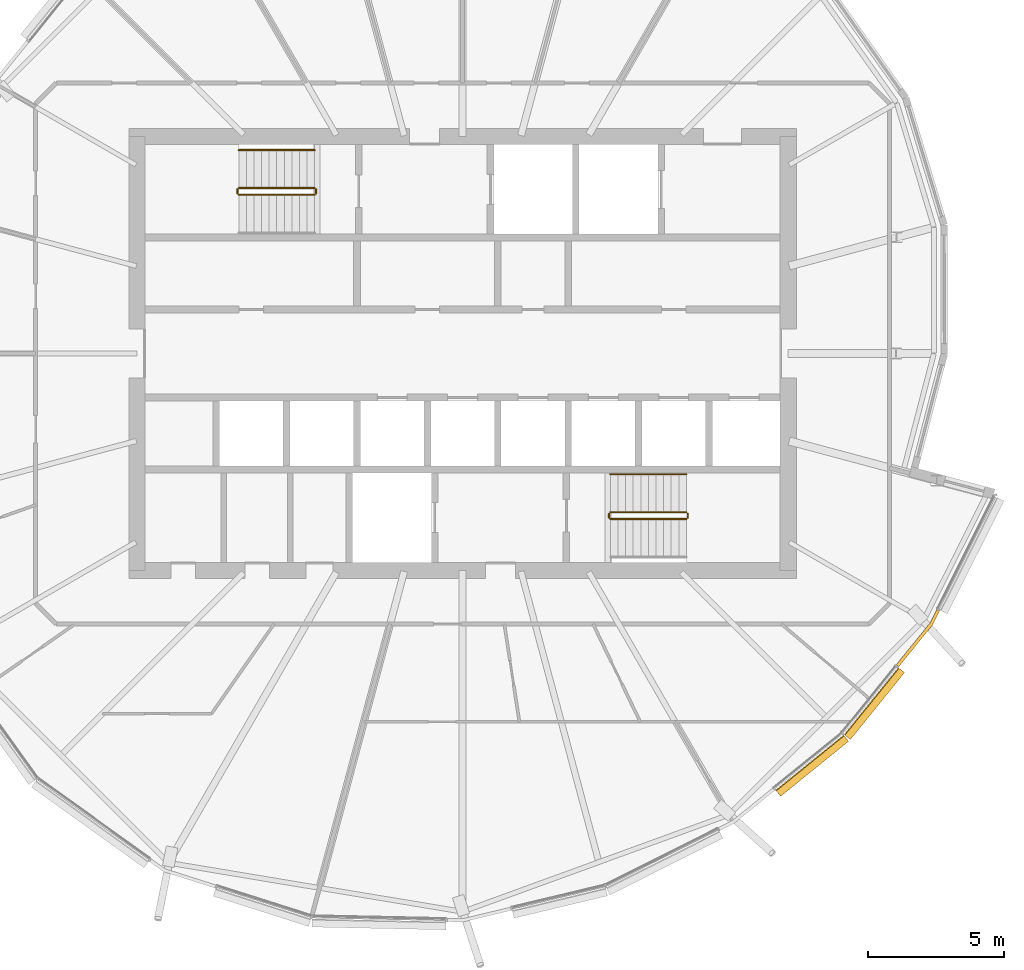
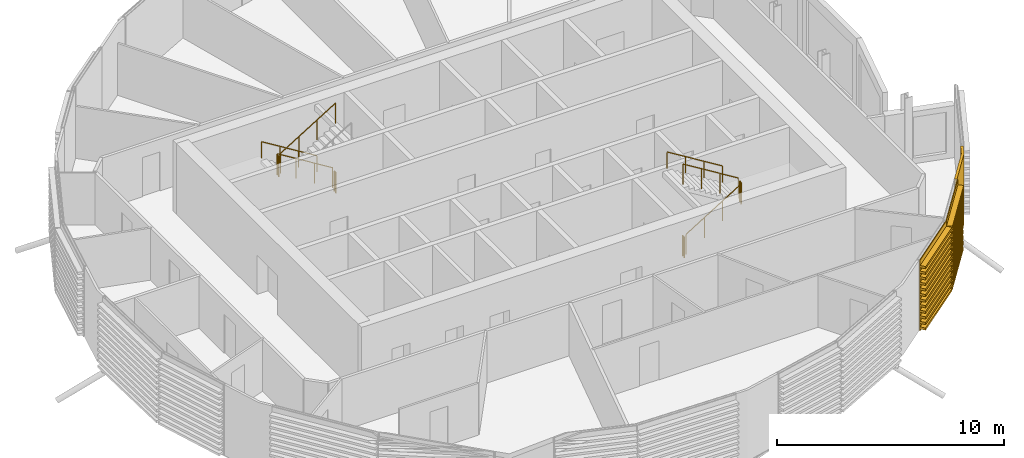
# One storey, part 35 of 36: 10 railings, 3 coverings.
"""IFC4 building model written with IfcOpenShell, lengths in metres."""

from ifc_helpers import new_model, si_unit, direction, frame, origin, origin_2d, place, context, subcontext, project, spatial, polyline, circle, outline, extrude, material, layer, layer_set, material_profile, profile_set, type_object, element, save


model = new_model("IFC4")

# Units and contexts
model_context = context("Model", 3, precision=1e-05, world=origin(), true_north=direction((0.0, 1.0)))
body_context = subcontext(model_context, "Body", "Model", "MODEL_VIEW")
ifc_project = project(units=[si_unit("LENGTHUNIT", "METRE"), si_unit("AREAUNIT", "SQUARE_METRE"), si_unit("VOLUMEUNIT", "CUBIC_METRE"), si_unit("PLANEANGLEUNIT", "RADIAN"), si_unit("MASSUNIT", "GRAM", prefix="KILO")], contexts=[model_context])

# Site, building, storey
site_placement = place(None, origin())
site = spatial("IfcSite", under=ifc_project, at=site_placement, CompositionType="ELEMENT")
building_placement = place(site_placement, origin())
building = spatial("IfcBuilding", under=site, at=building_placement, Name="Rimbun Link Towers", CompositionType="ELEMENT")
storey_placement = place(building_placement, frame((0.0, 0.0, 174.10009765625)))
storey = spatial("IfcBuildingStorey", under=building, at=storey_placement, Name="L42", CompositionType="ELEMENT", Elevation=174.10009765625)

# Covering
ifc_material_1 = material(Name="Terracotta", Category="masonry")
ifc_layer = layer(ifc_material_1, 0.1201171875)
ifc_layer_set = layer_set([ifc_layer], Name="LINK PIER terracotta cladding 120")
covering_type_1 = type_object("IfcCoveringType", Name="LINK PIER terracotta cladding 120", PredefinedType="CLADDING", material=ifc_layer_set)
covering_1_placement = place(storey_placement, origin())
element("IfcCovering", 1, at=covering_1_placement, inside=storey, type_object=covering_type_1, Name="LINK PIER cladding", PredefinedType="CLADDING", context=body_context, shape_type="SweptSolid", body=[
    extrude(outline(polyline([(49.22607421875, -9.4326171875), (48.97021484375, -9.942138671875), (47.730712890625, -11.473388671875), (47.823974609375, -11.548828125), (49.071533203125, -10.007568359375), (49.333251953125, -9.486572265625), (49.22607421875, -9.4326171875)])), origin(), (0.0, 0.0, 1.0), 3.7998046875),
])

# Railings
ifc_material_2 = material(Name="Stainless steel grade 316", Category="steel")
railing_type_1 = type_object("IfcRailingType", Name="Stair guard", PredefinedType="GUARDRAIL", material=ifc_material_2)
railing_1_placement = place(storey_placement, frame((26.300048828125, 6.10009765625, 0.172607421875)))
element("IfcRailing", 2, at=railing_1_placement, inside=storey, type_object=railing_type_1, Name="L42 ST3 stair guard 1", PredefinedType="GUARDRAIL", context=body_context, shape_type="SweptSolid", body=[
    extrude(circle(Radius=0.02392578125, at=origin_2d()), frame((0.0, 0.0, 1.076171875), z_axis=(-0.851089632645, 0.0, 0.525020415988), x_axis=(0.0, -1.0, 0.0)), (0.0, 0.0, 1.0), 3.2900390625),
    extrude(circle(Radius=0.02099609375, at=origin_2d()), origin(), (0.0, 0.0, 1.0), 1.052001953125),
    extrude(circle(Radius=0.02099609375, at=origin_2d()), frame((-0.933349609375, 0.0, 0.57568359375)), (0.0, 0.0, 1.0), 1.052001953125),
    extrude(circle(Radius=0.02099609375, at=origin_2d()), frame((-1.86669921875, 0.0, 1.151611328125)), (0.0, 0.0, 1.0), 1.052001953125),
    extrude(circle(Radius=0.02099609375, at=origin_2d()), frame((-2.800048828125, 0.0, 1.727294921875)), (0.0, 0.0, 1.0), 1.052001953125),
])
railing_2_placement = place(storey_placement, frame((23.449951171875, 6.050048828125, 1.89990234375)))
element("IfcRailing", 3, at=railing_2_placement, inside=storey, type_object=railing_type_1, Name="L42 ST3 stair guard 2", PredefinedType="GUARDRAIL", context=body_context, shape_type="SweptSolid", body=[
    extrude(circle(Radius=0.02392578125, at=origin_2d()), frame((0.0, 0.0, 1.076171875), z_axis=(0.0, -1.0, 0.0), x_axis=(1.0, 0.0, 0.0)), (0.0, 0.0, 1.0), 0.150146484375),
    extrude(circle(Radius=0.02099609375, at=origin_2d()), origin(), (0.0, 0.0, 1.0), 1.052001953125),
    extrude(circle(Radius=0.02099609375, at=origin_2d()), frame((0.0, -0.150146484375, 0.0)), (0.0, 0.0, 1.0), 1.052001953125),
])
railing_3_placement = place(storey_placement, frame((23.5, 5.85009765625, 2.072509765625)))
element("IfcRailing", 4, at=railing_3_placement, inside=storey, type_object=railing_type_1, Name="L42 ST3 stair guard 3", PredefinedType="GUARDRAIL", context=body_context, shape_type="SweptSolid", body=[
    extrude(circle(Radius=0.02392578125, at=origin_2d()), frame((0.0, 0.0, 1.076171875), z_axis=(0.851089632645, 0.0, 0.525020415988), x_axis=(0.0, 1.0, 0.0)), (0.0, 0.0, 1.0), 3.2900390625),
    extrude(circle(Radius=0.02099609375, at=origin_2d()), origin(), (0.0, 0.0, 1.0), 1.052001953125),
    extrude(circle(Radius=0.02099609375, at=origin_2d()), frame((0.933349609375, 0.0, 0.57568359375)), (0.0, 0.0, 1.0), 1.052001953125),
    extrude(circle(Radius=0.02099609375, at=origin_2d()), frame((1.86669921875, 0.0, 1.151611328125)), (0.0, 0.0, 1.0), 1.052001953125),
    extrude(circle(Radius=0.02099609375, at=origin_2d()), frame((2.800048828125, 0.0, 1.727294921875)), (0.0, 0.0, 1.0), 1.052001953125),
])
railing_4_placement = place(storey_placement, frame((26.35009765625, 6.050048828125, 0.0)))
element("IfcRailing", 5, at=railing_4_placement, inside=storey, type_object=railing_type_1, Name="L42 ST3 stair guard 4", PredefinedType="GUARDRAIL", context=body_context, shape_type="SweptSolid", body=[
    extrude(circle(Radius=0.02392578125, at=origin_2d()), frame((0.0, 0.0, 1.076171875), z_axis=(0.0, -1.0, 0.0), x_axis=(1.0, 0.0, 0.0)), (0.0, 0.0, 1.0), 0.150146484375),
    extrude(circle(Radius=0.02099609375, at=origin_2d()), origin(), (0.0, 0.0, 1.0), 1.052001953125),
    extrude(circle(Radius=0.02099609375, at=origin_2d()), frame((0.0, -0.150146484375, 0.0)), (0.0, 0.0, 1.0), 1.052001953125),
])
railing_5_placement = place(storey_placement, frame((37.199951171875, -6.10009765625, 0.172607421875)))
element("IfcRailing", 6, at=railing_5_placement, inside=storey, type_object=railing_type_1, Name="L42 ST4 stair guard 1", PredefinedType="GUARDRAIL", context=body_context, shape_type="SweptSolid", body=[
    extrude(circle(Radius=0.02392578125, at=origin_2d()), frame((0.0, 0.0, 1.076171875), z_axis=(0.851089632645, 0.0, 0.525020415988), x_axis=(0.0, 1.0, 0.0)), (0.0, 0.0, 1.0), 3.2900390625),
    extrude(circle(Radius=0.02099609375, at=origin_2d()), origin(), (0.0, 0.0, 1.0), 1.052001953125),
    extrude(circle(Radius=0.02099609375, at=origin_2d()), frame((0.933349609375, 0.0, 0.57568359375)), (0.0, 0.0, 1.0), 1.052001953125),
    extrude(circle(Radius=0.02099609375, at=origin_2d()), frame((1.86669921875, 0.0, 1.151611328125)), (0.0, 0.0, 1.0), 1.052001953125),
    extrude(circle(Radius=0.02099609375, at=origin_2d()), frame((2.800048828125, 0.0, 1.727294921875)), (0.0, 0.0, 1.0), 1.052001953125),
])
railing_6_placement = place(storey_placement, frame((40.050048828125, -6.050048828125, 1.89990234375)))
element("IfcRailing", 7, at=railing_6_placement, inside=storey, type_object=railing_type_1, Name="L42 ST4 stair guard 2", PredefinedType="GUARDRAIL", context=body_context, shape_type="SweptSolid", body=[
    extrude(circle(Radius=0.02392578125, at=origin_2d()), frame((0.0, 0.0, 1.076171875), z_axis=(0.0, 1.0, 0.0), x_axis=(-1.0, 0.0, 0.0)), (0.0, 0.0, 1.0), 0.150146484375),
    extrude(circle(Radius=0.02099609375, at=origin_2d()), origin(), (0.0, 0.0, 1.0), 1.052001953125),
    extrude(circle(Radius=0.02099609375, at=origin_2d()), frame((0.0, 0.150146484375, 0.0)), (0.0, 0.0, 1.0), 1.052001953125),
])
railing_7_placement = place(storey_placement, frame((40.0, -5.85009765625, 2.072509765625)))
element("IfcRailing", 8, at=railing_7_placement, inside=storey, type_object=railing_type_1, Name="L42 ST4 stair guard 3", PredefinedType="GUARDRAIL", context=body_context, shape_type="SweptSolid", body=[
    extrude(circle(Radius=0.02392578125, at=origin_2d()), frame((0.0, 0.0, 1.076171875), z_axis=(-0.851089632645, 0.0, 0.525020415988), x_axis=(0.0, -1.0, 0.0)), (0.0, 0.0, 1.0), 3.2900390625),
    extrude(circle(Radius=0.02099609375, at=origin_2d()), origin(), (0.0, 0.0, 1.0), 1.052001953125),
    extrude(circle(Radius=0.02099609375, at=origin_2d()), frame((-0.933349609375, 0.0, 0.57568359375)), (0.0, 0.0, 1.0), 1.052001953125),
    extrude(circle(Radius=0.02099609375, at=origin_2d()), frame((-1.86669921875, 0.0, 1.151611328125)), (0.0, 0.0, 1.0), 1.052001953125),
    extrude(circle(Radius=0.02099609375, at=origin_2d()), frame((-2.800048828125, 0.0, 1.727294921875)), (0.0, 0.0, 1.0), 1.052001953125),
])
railing_8_placement = place(storey_placement, frame((37.14990234375, -6.050048828125, 0.0)))
element("IfcRailing", 9, at=railing_8_placement, inside=storey, type_object=railing_type_1, Name="L42 ST4 stair guard 4", PredefinedType="GUARDRAIL", context=body_context, shape_type="SweptSolid", body=[
    extrude(circle(Radius=0.02392578125, at=origin_2d()), frame((0.0, 0.0, 1.076171875), z_axis=(0.0, 1.0, 0.0), x_axis=(-1.0, 0.0, 0.0)), (0.0, 0.0, 1.0), 0.150146484375),
    extrude(circle(Radius=0.02099609375, at=origin_2d()), origin(), (0.0, 0.0, 1.0), 1.052001953125),
    extrude(circle(Radius=0.02099609375, at=origin_2d()), frame((0.0, 0.150146484375, 0.0)), (0.0, 0.0, 1.0), 1.052001953125),
])
ifc_material_3 = material(Name="Stainless steel grade 316", Category="steel")
railing_type_2 = type_object("IfcRailingType", Name="Stair handrail", PredefinedType="HANDRAIL", material=ifc_material_3)
for number, where, name in (
    (10, (26.300048828125, 7.5, 0.172607421875), "L42 ST3 stair handrail 1"),
    (11, (40.0, -4.449951171875, 2.072509765625), "L42 ST4 stair handrail 2"),
):
    element("IfcRailing", number, at=place(storey_placement, frame(where)), inside=storey, type_object=railing_type_2, Name=name, PredefinedType="HANDRAIL", context=body_context, shape_type="SweptSolid", body=[
        extrude(circle(Radius=0.02392578125, at=origin_2d()), frame((0.0, 0.0, 0.8759765625), z_axis=(-0.851089632645, 0.0, 0.525020415988), x_axis=(0.0, -1.0, 0.0)), (0.0, 0.0, 1.0), 3.2900390625),
        extrude(circle(Radius=0.02099609375, at=origin_2d()), origin(), (0.0, 0.0, 1.0), 0.851806640625),
        extrude(circle(Radius=0.02099609375, at=origin_2d()), frame((-0.933349609375, 0.0, 0.57568359375)), (0.0, 0.0, 1.0), 0.851806640625),
        extrude(circle(Radius=0.02099609375, at=origin_2d()), frame((-1.86669921875, 0.0, 1.151611328125)), (0.0, 0.0, 1.0), 0.851806640625),
        extrude(circle(Radius=0.02099609375, at=origin_2d()), frame((-2.800048828125, 0.0, 1.727294921875)), (0.0, 0.0, 1.0), 0.851806640625),
    ])

# Coverings
ifc_material_4 = material(Name="Terracotta", Category="masonry")
ifc_material_profile = material_profile(ifc_material_4, outline(polyline([(0.123046875, 0.0), (0.1630859375, 0.0), (0.1630859375, 0.10009765625), (0.423095703125, 0.10009765625), (0.423095703125, 0.219970703125), (0.1630859375, 0.219970703125), (0.1630859375, 0.39990234375), (0.423095703125, 0.39990234375), (0.423095703125, 0.52001953125), (0.1630859375, 0.52001953125), (0.1630859375, 0.699951171875), (0.423095703125, 0.699951171875), (0.423095703125, 0.820068359375), (0.1630859375, 0.820068359375), (0.1630859375, 1.0), (0.423095703125, 1.0), (0.423095703125, 1.1201171875), (0.1630859375, 1.1201171875), (0.1630859375, 1.300048828125), (0.423095703125, 1.300048828125), (0.423095703125, 1.419921875), (0.1630859375, 1.419921875), (0.1630859375, 1.60009765625), (0.423095703125, 1.60009765625), (0.423095703125, 1.719970703125), (0.1630859375, 1.719970703125), (0.1630859375, 1.89990234375), (0.423095703125, 1.89990234375), (0.423095703125, 2.02001953125), (0.1630859375, 2.02001953125), (0.1630859375, 2.199951171875), (0.423095703125, 2.199951171875), (0.423095703125, 2.320068359375), (0.1630859375, 2.320068359375), (0.1630859375, 2.5), (0.423095703125, 2.5), (0.423095703125, 2.6201171875), (0.1630859375, 2.6201171875), (0.1630859375, 2.800048828125), (0.423095703125, 2.800048828125), (0.423095703125, 2.919921875), (0.1630859375, 2.919921875), (0.1630859375, 3.10009765625), (0.423095703125, 3.10009765625), (0.423095703125, 3.219970703125), (0.1630859375, 3.219970703125), (0.1630859375, 3.39990234375), (0.423095703125, 3.39990234375), (0.423095703125, 3.52001953125), (0.1630859375, 3.52001953125), (0.1630859375, 3.800048828125), (0.123046875, 3.800048828125), (0.123046875, 0.0)])), Name="BAGUETTE 120X300")
ifc_profile_set = profile_set([ifc_material_profile], Name="Terracotta")
covering_type_2 = type_object("IfcCoveringType", Name="TERRACOTTA BAGUETTE 120X300 H3800", PredefinedType="CLADDING", material=ifc_profile_set)
covering_2_placement = place(storey_placement, frame((45.71435546875, -13.96435546875, 0.0), z_axis=(-0.77725897438, -0.629180806085, 0.0), x_axis=(0.629180806085, -0.77725897438, 0.0)))
element("IfcCovering", 12, at=covering_2_placement, inside=storey, type_object=covering_type_2, Name="TERRACOTTA BAGUETTE", PredefinedType="CLADDING", context=body_context, shape_type="SweptSolid", body=[
    extrude(outline(polyline([(0.123046875, 0.0), (0.1630859375, 0.0), (0.1630859375, 0.10009765625), (0.423095703125, 0.10009765625), (0.423095703125, 0.219970703125), (0.1630859375, 0.219970703125), (0.1630859375, 0.39990234375), (0.423095703125, 0.39990234375), (0.423095703125, 0.52001953125), (0.1630859375, 0.52001953125), (0.1630859375, 0.699951171875), (0.423095703125, 0.699951171875), (0.423095703125, 0.820068359375), (0.1630859375, 0.820068359375), (0.1630859375, 1.0), (0.423095703125, 1.0), (0.423095703125, 1.1201171875), (0.1630859375, 1.1201171875), (0.1630859375, 1.300048828125), (0.423095703125, 1.300048828125), (0.423095703125, 1.419921875), (0.1630859375, 1.419921875), (0.1630859375, 1.60009765625), (0.423095703125, 1.60009765625), (0.423095703125, 1.719970703125), (0.1630859375, 1.719970703125), (0.1630859375, 1.89990234375), (0.423095703125, 1.89990234375), (0.423095703125, 2.02001953125), (0.1630859375, 2.02001953125), (0.1630859375, 2.199951171875), (0.423095703125, 2.199951171875), (0.423095703125, 2.320068359375), (0.1630859375, 2.320068359375), (0.1630859375, 2.5), (0.423095703125, 2.5), (0.423095703125, 2.6201171875), (0.1630859375, 2.6201171875), (0.1630859375, 2.800048828125), (0.423095703125, 2.800048828125), (0.423095703125, 2.919921875), (0.1630859375, 2.919921875), (0.1630859375, 3.10009765625), (0.423095703125, 3.10009765625), (0.423095703125, 3.219970703125), (0.1630859375, 3.219970703125), (0.1630859375, 3.39990234375), (0.423095703125, 3.39990234375), (0.423095703125, 3.52001953125), (0.1630859375, 3.52001953125), (0.1630859375, 3.800048828125), (0.123046875, 3.800048828125), (0.123046875, 0.0)])), origin(), (0.0, 0.0, 1.0), 3.224853515625),
])
covering_3_placement = place(storey_placement, frame((47.7119140625, -11.49658203125, 0.0), z_axis=(-0.629167258888, -0.77726994046, 0.0), x_axis=(0.77726994046, -0.629167258888, 0.0)))
element("IfcCovering", 13, at=covering_3_placement, inside=storey, type_object=covering_type_2, Name="TERRACOTTA BAGUETTE", PredefinedType="CLADDING", context=body_context, shape_type="SweptSolid", body=[
    extrude(outline(polyline([(0.123046875, 0.0), (0.1630859375, 0.0), (0.1630859375, 0.10009765625), (0.423095703125, 0.10009765625), (0.423095703125, 0.219970703125), (0.1630859375, 0.219970703125), (0.1630859375, 0.39990234375), (0.423095703125, 0.39990234375), (0.423095703125, 0.52001953125), (0.1630859375, 0.52001953125), (0.1630859375, 0.699951171875), (0.423095703125, 0.699951171875), (0.423095703125, 0.820068359375), (0.1630859375, 0.820068359375), (0.1630859375, 1.0), (0.423095703125, 1.0), (0.423095703125, 1.1201171875), (0.1630859375, 1.1201171875), (0.1630859375, 1.300048828125), (0.423095703125, 1.300048828125), (0.423095703125, 1.419921875), (0.1630859375, 1.419921875), (0.1630859375, 1.60009765625), (0.423095703125, 1.60009765625), (0.423095703125, 1.719970703125), (0.1630859375, 1.719970703125), (0.1630859375, 1.89990234375), (0.423095703125, 1.89990234375), (0.423095703125, 2.02001953125), (0.1630859375, 2.02001953125), (0.1630859375, 2.199951171875), (0.423095703125, 2.199951171875), (0.423095703125, 2.320068359375), (0.1630859375, 2.320068359375), (0.1630859375, 2.5), (0.423095703125, 2.5), (0.423095703125, 2.6201171875), (0.1630859375, 2.6201171875), (0.1630859375, 2.800048828125), (0.423095703125, 2.800048828125), (0.423095703125, 2.919921875), (0.1630859375, 2.919921875), (0.1630859375, 3.10009765625), (0.423095703125, 3.10009765625), (0.423095703125, 3.219970703125), (0.1630859375, 3.219970703125), (0.1630859375, 3.39990234375), (0.423095703125, 3.39990234375), (0.423095703125, 3.52001953125), (0.1630859375, 3.52001953125), (0.1630859375, 3.800048828125), (0.123046875, 3.800048828125), (0.123046875, 0.0)])), origin(), (0.0, 0.0, 1.0), 3.1748046875),
])

save(model, "model.ifc")
